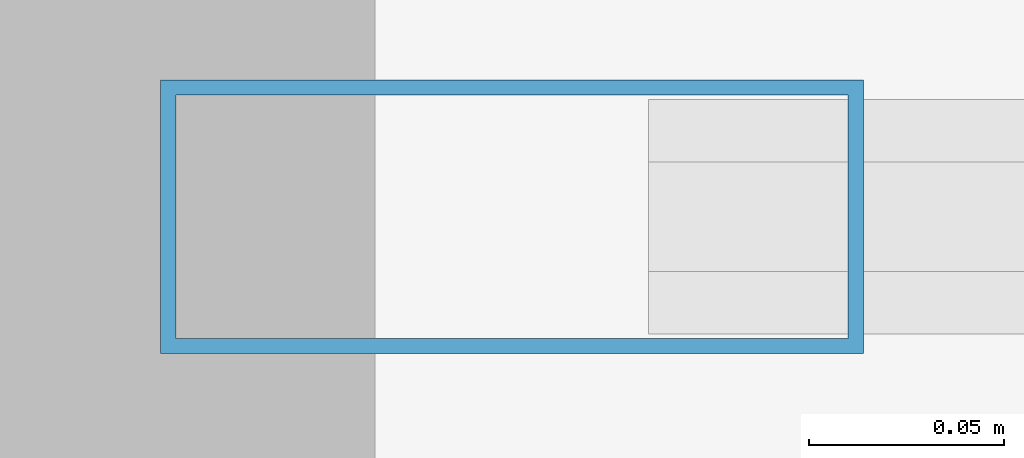
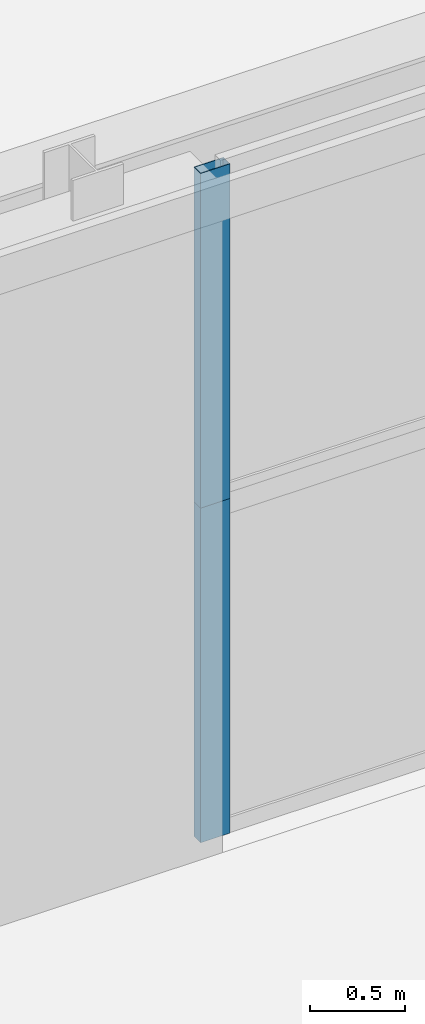
# One storey, part 7 of 29: 2 members, 2 elements without a shape of their own.
"""IFC4 building model written with IfcOpenShell, lengths in metres."""

from ifc_helpers import new_model, si_unit, direction, frame, origin, origin_2d, place, context, subcontext, project, spatial, hollow_rectangle, extrude, source, transform, mapped, material, layer, layer_set, material_profile, profile_set, type_object, element, aggregate, save


model = new_model("IFC4")

# Units and contexts
model_context = context("Model", 3, precision=1e-05, world=origin(), true_north=direction((0.0, 1.0)))
body_context = subcontext(model_context, "Body", "Model", "MODEL_VIEW")
ifc_project = project(units=[si_unit("LENGTHUNIT", "METRE"), si_unit("AREAUNIT", "SQUARE_METRE"), si_unit("VOLUMEUNIT", "CUBIC_METRE"), si_unit("PLANEANGLEUNIT", "RADIAN"), si_unit("MASSUNIT", "GRAM", prefix="KILO")], contexts=[model_context])

# Site, building, storey
site_placement = place(None, origin())
site = spatial("IfcSite", under=ifc_project, at=site_placement, CompositionType="ELEMENT")
building_placement = place(site_placement, origin())
building = spatial("IfcBuilding", under=site, at=building_placement, Name="Taldren Reach Tower", CompositionType="ELEMENT")
storey_placement = place(building_placement, origin())
storey = spatial("IfcBuildingStorey", under=building, at=storey_placement, Name="L00", CompositionType="ELEMENT", Elevation=0.0)

# Curtain wall, member
ifc_material_1 = material(Name="Aluminium and Low-E Glass Unitised System", Category="aluminium")
ifc_layer = layer(ifc_material_1, 0.159912109375)
ifc_layer_set = layer_set([ifc_layer], Name="Aluminium and Low-E Glass Unitised System")
curtain_wall_type = type_object("IfcCurtainWallType", Name="CW-SYS-1", PredefinedType="NOTDEFINED", material=ifc_layer_set)
curtain_wall_1_placement = place(storey_placement, origin())
curtain_wall_1 = element("IfcCurtainWall", 1, at=curtain_wall_1_placement, inside=storey, type_object=curtain_wall_type, Name="Unitised curtain wall CW1-L00-S1", PredefinedType="NOTDEFINED")
ifc_material_2 = material(Name="Anodised Aluminium 6063-T6", Category="aluminium")
ifc_material_profile = material_profile(ifc_material_2, hollow_rectangle(XDim=0.070068359375, YDim=0.179931640625, WallThickness=0.00390625, at=origin_2d()), Name="ALU-180x70x4RHS")
ifc_profile_set = profile_set([ifc_material_profile], Name="Anodised Aluminium 6063-T6")
member_type = type_object("IfcMemberType", Name="CW-MUL-180", PredefinedType="MULLION", material=ifc_profile_set)
shared_shape = source(origin(), body_context, "Body", "SweptSolid", [
    extrude(hollow_rectangle(XDim=0.070068359375, YDim=0.179931640625, WallThickness=0.00390625, at=origin_2d()), origin(), (0.0, 0.0, 1.0), 2.14501953125),
])
member_1_placement = place(storey_placement, frame((8.235107421875, 0.169921875, 0.0), z_axis=(0.0, 0.0, 1.0), x_axis=(0.0, 1.0, 0.0)))
member_1 = element("IfcMember", 2, at=member_1_placement, type_object=member_type, Name="CW-1 mullion 1", PredefinedType="MULLION", context=body_context, shape_type="MappedRepresentation", body=[
    mapped(shared_shape, transform((0.0, 0.0, 0.0), scale=1.0)),
])
aggregate(curtain_wall_1, [member_1])

curtain_wall_2_placement = place(storey_placement, origin())
curtain_wall_2 = element("IfcCurtainWall", 3, at=curtain_wall_2_placement, inside=storey, type_object=curtain_wall_type, Name="Unitised curtain wall CW1-L00-S1-T2", PredefinedType="NOTDEFINED")
member_2_placement = place(storey_placement, frame((8.235107421875, 0.169921875, 2.14501953125), z_axis=(0.0, 0.0, 1.0), x_axis=(0.0, 1.0, 0.0)))
member_2 = element("IfcMember", 4, at=member_2_placement, type_object=member_type, Name="CW-1 mullion 1", PredefinedType="MULLION", context=body_context, shape_type="MappedRepresentation", body=[
    mapped(shared_shape, transform((0.0, 0.0, 0.0), scale=1.0)),
])
aggregate(curtain_wall_2, [member_2])

save(model, "model.ifc")
